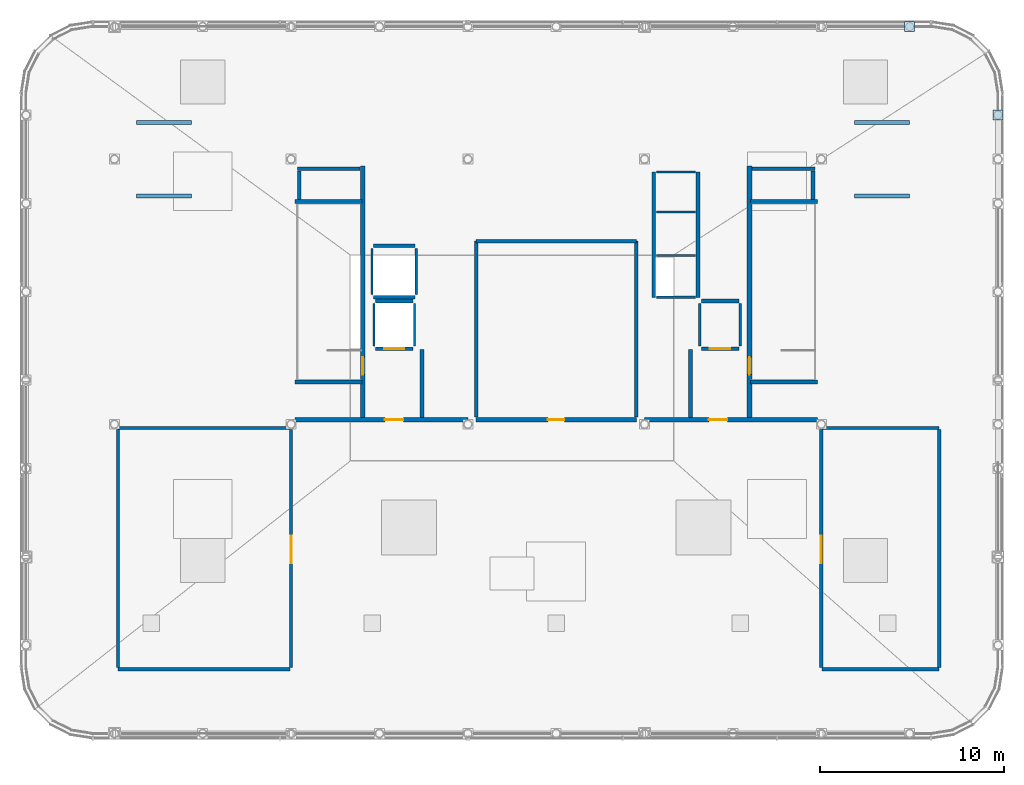
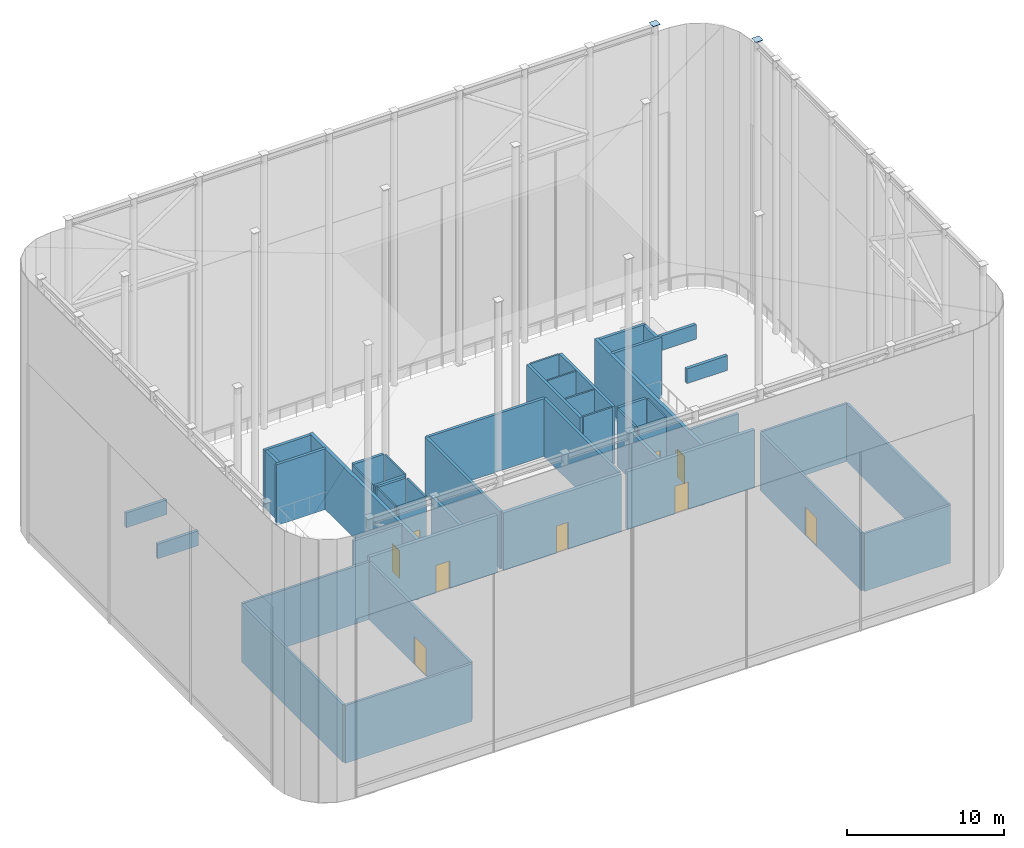
# One storey, part 40 of 42: 48 walls, 9 doors, 2 plates, 9 openings.
"""IFC4 building model written with IfcOpenShell, lengths in metres."""

from ifc_helpers import new_model, si_unit, direction, frame, frame_2d, origin, origin_2d, place, context, subcontext, project, spatial, rectangle, extrude, material, layer, layer_set, type_object, element, fill, save


model = new_model("IFC4")

# Units and contexts
model_context = context("Model", 3, precision=1e-05, world=origin(), true_north=direction((0.0, 1.0)))
body_context = subcontext(model_context, "Body", "Model", "MODEL_VIEW")
ifc_project = project(units=[si_unit("LENGTHUNIT", "METRE"), si_unit("AREAUNIT", "SQUARE_METRE"), si_unit("VOLUMEUNIT", "CUBIC_METRE"), si_unit("PLANEANGLEUNIT", "RADIAN"), si_unit("MASSUNIT", "GRAM", prefix="KILO")], contexts=[model_context])

# Site, building, storey
site_placement = place(None, origin())
site = spatial("IfcSite", under=ifc_project, at=site_placement, CompositionType="ELEMENT")
building_placement = place(site_placement, origin())
building = spatial("IfcBuilding", under=site, at=building_placement, Name="Kallvorn Hotel Tower", CompositionType="ELEMENT")
storey_placement = place(building_placement, frame((0.0, 0.0, 306.0)))
storey = spatial("IfcBuildingStorey", under=building, at=storey_placement, Name="ROOF", CompositionType="ELEMENT", Elevation=306.0)

# Plates
ifc_material_1 = material(Name="Structural steel S355JR", Category="steel")
ifc_layer_1 = layer(ifc_material_1, 0.030029296875)
ifc_layer_set_1 = layer_set([ifc_layer_1], Name="PLT_CAP_30")
plate_type = type_object("IfcPlateType", Name="PLT_CAP_30", PredefinedType="SHEET", material=ifc_layer_set_1)
for number, where, z_axis, x_axis, name in (
    (1, (19.199951171875, 14.39990234375, 21.35986328125), (0.0, 0.0, 1.0), (1.0, 0.0, 0.0), "CROWN FRAME Column Top Cap Plate 37"),
    (2, (24.0, 9.60009765625, 21.35986328125), (0.0, 0.0, 1.0), (1.0, 0.0, 0.0), "CROWN FRAME Column Top Cap Plate 46"),
):
    element("IfcPlate", number, at=place(storey_placement, frame(where, z_axis=z_axis, x_axis=x_axis)), inside=storey, type_object=plate_type, Name=name, PredefinedType="SHEET", context=body_context, shape_type="SweptSolid", body=[
        extrude(rectangle(XDim=0.5400390625, YDim=0.5400390625, at=origin_2d()), origin(), (0.0, 0.0, 1.0), 0.030029296875),
    ])

# Walls
ifc_material_2 = material(Name="Fire-rated double-layer acoustic gypsum drywall EI 60")
ifc_layer_2 = layer(ifc_material_2, 0.179931640625)
ifc_layer_set_2 = layer_set([ifc_layer_2], Name="WL_CORR_180")
wall_type_1 = type_object("IfcWallType", Name="WL_CORR_180", PredefinedType="PARTITIONING", material=ifc_layer_set_2)
wall_1_placement = place(storey_placement, frame((-23.800048828125, -20.5, 0.0), z_axis=(0.0, 0.0, 1.0), x_axis=(1.0, 0.0, 0.0)))
element("IfcWall", 3, at=wall_1_placement, inside=storey, type_object=wall_type_1, Name="ROOF Crown Pressurisation and Mechanical Plant Room Partition", PredefinedType="PARTITIONING", context=body_context, shape_type="SweptSolid", body=[
    extrude(rectangle(XDim=9.35009765625, YDim=0.179931640625, at=frame_2d((4.675048828125, 0.0))), origin(), (0.0, 0.0, 1.0), 4.5),
])
wall_2_placement = place(storey_placement, frame((14.449951171875, -20.5, 0.0), z_axis=(0.0, 0.0, 1.0), x_axis=(1.0, 0.0, 0.0)))
element("IfcWall", 4, at=wall_2_placement, inside=storey, type_object=wall_type_1, Name="ROOF Crown Electrical and Beacon Control Room Partition", PredefinedType="PARTITIONING", context=body_context, shape_type="SweptSolid", body=[
    extrude(rectangle(XDim=6.35009765625, YDim=0.179931640625, at=frame_2d((3.175048828125, 0.0))), origin(), (0.0, 0.0, 1.0), 4.5),
])
wall_3_placement = place(storey_placement, frame((-23.800048828125, -7.39990234375, 0.0), z_axis=(0.0, 0.0, 1.0), x_axis=(1.0, 0.0, 0.0)))
element("IfcWall", 5, at=wall_3_placement, inside=storey, type_object=wall_type_1, Name="ROOF Crown Pressurisation and Mechanical Plant Room Partition", PredefinedType="PARTITIONING", context=body_context, shape_type="SweptSolid", body=[
    extrude(rectangle(XDim=9.35009765625, YDim=0.179931640625, at=frame_2d((4.675048828125, 0.0))), origin(), (0.0, 0.0, 1.0), 4.5),
])
wall_4_placement = place(storey_placement, frame((14.449951171875, -7.39990234375, 0.0), z_axis=(0.0, 0.0, 1.0), x_axis=(1.0, 0.0, 0.0)))
element("IfcWall", 6, at=wall_4_placement, inside=storey, type_object=wall_type_1, Name="ROOF Crown Electrical and Beacon Control Room Partition", PredefinedType="PARTITIONING", context=body_context, shape_type="SweptSolid", body=[
    extrude(rectangle(XDim=6.35009765625, YDim=0.179931640625, at=frame_2d((3.175048828125, 0.0))), origin(), (0.0, 0.0, 1.0), 4.5),
])
wall_5_placement = place(storey_placement, frame((-23.800048828125, -20.4150390625, 0.0), z_axis=(0.0, 0.0, 1.0), x_axis=(0.0, 1.0, 0.0)))
element("IfcWall", 7, at=wall_5_placement, inside=storey, type_object=wall_type_1, Name="ROOF Crown Pressurisation and Mechanical Plant Room Partition", PredefinedType="PARTITIONING", context=body_context, shape_type="SweptSolid", body=[
    extrude(rectangle(XDim=12.929931640625, YDim=0.179931640625, at=frame_2d((6.46484375, 0.0))), origin(), (0.0, 0.0, 1.0), 4.5),
])

# Wall, opening, door
wall_6_placement = place(storey_placement, frame((-14.39990234375, -20.4150390625, 0.0), z_axis=(0.0, 0.0, 1.0), x_axis=(0.0, 1.0, 0.0)))
wall_6 = element("IfcWall", 8, at=wall_6_placement, inside=storey, type_object=wall_type_1, Name="ROOF Crown Pressurisation and Mechanical Plant Room Partition", PredefinedType="PARTITIONING", context=body_context, shape_type="SweptSolid", body=[
    extrude(rectangle(XDim=12.929931640625, YDim=0.179931640625, at=frame_2d((6.46484375, 0.0))), origin(), (0.0, 0.0, 1.0), 4.5),
])
opening_1_placement = place(wall_6_placement, frame((5.6650390625, 0.0, 0.0)))
opening_1 = element("IfcOpeningElement", 9, at=opening_1_placement, cuts=wall_6, Name="Opening PD1", PredefinedType="OPENING", context=body_context, shape_type="SweptSolid", body=[
    extrude(rectangle(XDim=1.5, YDim=2.199951171875, at=frame_2d((0.75, 1.10009765625))), frame((0.0, 0.104736328125, 0.0), z_axis=(0.0, -1.0, 0.0), x_axis=(1.0, 0.0, 0.0)), (0.0, 0.0, 1.0), 0.2099609375),
])
ifc_material_3 = material(Name="Galvanised painted steel fire-rated door assembly", Category="steel")
door_type_1 = type_object("IfcDoorType", Name="DR_PLANT_1500x2200", OperationType="DOUBLE_DOOR_SINGLE_SWING", PredefinedType="DOOR", material=ifc_material_3)
door_1_placement = place(opening_1_placement, origin())
door_1 = element("IfcDoor", 10, at=door_1_placement, inside=storey, type_object=door_type_1, Name="ROOF Crown Pressurisation and Mechanical Plant Room Door", OperationType="DOUBLE_DOOR_SINGLE_SWING", OverallHeight=2.199951171875, OverallWidth=1.5, PredefinedType="DOOR", context=body_context, shape_type="SweptSolid", body=[
    extrude(rectangle(XDim=1.5, YDim=2.199951171875, at=frame_2d((0.75, 1.10009765625))), frame((0.0, 0.02490234375, 0.0), z_axis=(0.0, -1.0, 0.0), x_axis=(1.0, 0.0, 0.0)), (0.0, 0.0, 1.0), 0.050048828125),
])
fill(opening_1, door_1)

wall_7_placement = place(storey_placement, frame((14.39990234375, -20.4150390625, 0.0), z_axis=(0.0, 0.0, 1.0), x_axis=(0.0, 1.0, 0.0)))
wall_7 = element("IfcWall", 11, at=wall_7_placement, inside=storey, type_object=wall_type_1, Name="ROOF Crown Electrical and Beacon Control Room Partition", PredefinedType="PARTITIONING", context=body_context, shape_type="SweptSolid", body=[
    extrude(rectangle(XDim=12.929931640625, YDim=0.179931640625, at=frame_2d((6.46484375, 0.0))), origin(), (0.0, 0.0, 1.0), 4.5),
])
opening_2_placement = place(wall_7_placement, frame((5.6650390625, 0.0, 0.0)))
opening_2 = element("IfcOpeningElement", 12, at=opening_2_placement, cuts=wall_7, Name="Opening PD1", PredefinedType="OPENING", context=body_context, shape_type="SweptSolid", body=[
    extrude(rectangle(XDim=1.5, YDim=2.199951171875, at=frame_2d((0.75, 1.10009765625))), frame((0.0, 0.104736328125, 0.0), z_axis=(0.0, -1.0, 0.0), x_axis=(1.0, 0.0, 0.0)), (0.0, 0.0, 1.0), 0.2099609375),
])
door_2_placement = place(opening_2_placement, origin())
door_2 = element("IfcDoor", 13, at=door_2_placement, inside=storey, type_object=door_type_1, Name="ROOF Crown Electrical and Beacon Control Room Door", OperationType="DOUBLE_DOOR_SINGLE_SWING", OverallHeight=2.199951171875, OverallWidth=1.5, PredefinedType="DOOR", context=body_context, shape_type="SweptSolid", body=[
    extrude(rectangle(XDim=1.5, YDim=2.199951171875, at=frame_2d((0.75, 1.10009765625))), frame((0.0, 0.02490234375, 0.0), z_axis=(0.0, -1.0, 0.0), x_axis=(1.0, 0.0, 0.0)), (0.0, 0.0, 1.0), 0.050048828125),
])
fill(opening_2, door_2)

# Walls
wall_8_placement = place(storey_placement, frame((20.800048828125, -20.4150390625, 0.0), z_axis=(0.0, 0.0, 1.0), x_axis=(0.0, 1.0, 0.0)))
element("IfcWall", 14, at=wall_8_placement, inside=storey, type_object=wall_type_1, Name="ROOF Crown Electrical and Beacon Control Room Partition", PredefinedType="PARTITIONING", context=body_context, shape_type="SweptSolid", body=[
    extrude(rectangle(XDim=12.929931640625, YDim=0.179931640625, at=frame_2d((6.46484375, 0.0))), origin(), (0.0, 0.0, 1.0), 4.5),
])
ifc_material_4 = material(Name="Concrete C40/50", Category="concrete")
ifc_layer_3 = layer(ifc_material_4, 0.219970703125)
ifc_layer_set_3 = layer_set([ifc_layer_3], Name="WL_FFL_220")
wall_type_2 = type_object("IfcWallType", Name="WL_FFL_220", PredefinedType="SOLIDWALL", material=ifc_layer_set_3)
for number, where, z_axis, x_axis, name in (
    (15, (-7.300048828125, -6.820068359375, 0.0), (0.0, 0.0, 1.0), (0.0, 1.0, 0.0), "ROOF Firefighting Lobby West Divider Wall"),
    (16, (7.300048828125, -6.820068359375, 0.0), (0.0, 0.0, 1.0), (0.0, 1.0, 0.0), "ROOF Firefighting Lobby East Divider Wall"),
):
    element("IfcWall", number, at=place(storey_placement, frame(where, z_axis=z_axis, x_axis=x_axis)), inside=storey, type_object=wall_type_2, Name=name, PredefinedType="SOLIDWALL", context=body_context, shape_type="SweptSolid", body=[
        extrude(rectangle(XDim=3.670166015625, YDim=0.219970703125, at=frame_2d((1.8349609375, 0.0))), origin(), (0.0, 0.0, 1.0), 4.5),
    ])
ifc_material_5 = material(Name="Concrete C40/50", Category="concrete")
ifc_layer_4 = layer(ifc_material_5, 0.199951171875)
ifc_layer_set_4 = layer_set([ifc_layer_4], Name="WL_HOIST_200")
wall_type_3 = type_object("IfcWallType", Name="WL_HOIST_200", PredefinedType="SOLIDWALL", material=ifc_layer_set_4)
for number, where, z_axis, x_axis, name in (
    (17, (-4.35009765625, -6.800048828125, 0.0), (0.0, 0.0, 1.0), (0.0, 1.0, 0.0), "ROOF Crown Lift Overrun West Wall"),
    (18, (4.35009765625, -6.800048828125, 0.0), (0.0, 0.0, 1.0), (0.0, 1.0, 0.0), "ROOF Crown Lift Overrun East Wall"),
):
    element("IfcWall", number, at=place(storey_placement, frame(where, z_axis=z_axis, x_axis=x_axis)), inside=storey, type_object=wall_type_3, Name=name, PredefinedType="SOLIDWALL", context=body_context, shape_type="SweptSolid", body=[
        extrude(rectangle(XDim=9.550048828125, YDim=0.199951171875, at=frame_2d((4.77490234375, 0.0))), origin(), (0.0, 0.0, 1.0), 4.5),
    ])
wall_9_placement = place(storey_placement, frame((-4.35009765625, 2.75, 0.0), z_axis=(0.0, 0.0, 1.0), x_axis=(1.0, 0.0, 0.0)))
element("IfcWall", 19, at=wall_9_placement, inside=storey, type_object=wall_type_3, Name="ROOF Crown Lift Overrun North Wall", PredefinedType="SOLIDWALL", context=body_context, shape_type="SweptSolid", body=[
    extrude(rectangle(XDim=8.7001953125, YDim=0.199951171875, at=frame_2d((4.35009765625, 0.0))), origin(), (0.0, 0.0, 1.0), 4.5),
])
wall_10_placement = place(storey_placement, frame((-14.050048828125, 6.679931640625, 0.0), z_axis=(0.0, 0.0, 1.0), x_axis=(1.0, 0.0, 0.0)))
element("IfcWall", 20, at=wall_10_placement, inside=storey, type_object=wall_type_3, Name="ROOF West MEP Riser Shaft North Wall", PredefinedType="SOLIDWALL", context=body_context, shape_type="SweptSolid", body=[
    extrude(rectangle(XDim=3.400146484375, YDim=0.199951171875, at=frame_2d((1.7001953125, 0.0))), origin(), (0.0, 0.0, 1.0), 4.5),
])
wall_11_placement = place(storey_placement, frame((-13.949951171875, 5.02001953125, 0.0), z_axis=(0.0, 0.0, 1.0), x_axis=(0.0, 1.0, 0.0)))
element("IfcWall", 21, at=wall_11_placement, inside=storey, type_object=wall_type_3, Name="ROOF West MEP Riser Shaft West Wall", PredefinedType="SOLIDWALL", context=body_context, shape_type="SweptSolid", body=[
    extrude(rectangle(XDim=1.5400390625, YDim=0.199951171875, at=frame_2d((0.77001953125, 0.0))), origin(), (0.0, 0.0, 1.0), 4.5),
])
wall_12_placement = place(storey_placement, frame((10.64990234375, 6.679931640625, 0.0), z_axis=(0.0, 0.0, 1.0), x_axis=(1.0, 0.0, 0.0)))
element("IfcWall", 22, at=wall_12_placement, inside=storey, type_object=wall_type_3, Name="ROOF East MEP Riser Shaft North Wall", PredefinedType="SOLIDWALL", context=body_context, shape_type="SweptSolid", body=[
    extrude(rectangle(XDim=3.400146484375, YDim=0.199951171875, at=frame_2d((1.7001953125, 0.0))), origin(), (0.0, 0.0, 1.0), 4.5),
])
wall_13_placement = place(storey_placement, frame((13.949951171875, 5.02001953125, 0.0), z_axis=(0.0, 0.0, 1.0), x_axis=(0.0, 1.0, 0.0)))
element("IfcWall", 23, at=wall_13_placement, inside=storey, type_object=wall_type_3, Name="ROOF East MEP Riser Shaft East Wall", PredefinedType="SOLIDWALL", context=body_context, shape_type="SweptSolid", body=[
    extrude(rectangle(XDim=1.5400390625, YDim=0.199951171875, at=frame_2d((0.77001953125, 0.0))), origin(), (0.0, 0.0, 1.0), 4.5),
])
for number, where, z_axis, x_axis, name in (
    (24, (-14.199951171875, -4.89990234375, -0.239990234375), (0.0, 0.0, 1.0), (1.0, 0.0, 0.0), "ROOF Stair ST1 South Wall"),
    (25, (-14.199951171875, 4.89990234375, -0.239990234375), (0.0, 0.0, 1.0), (1.0, 0.0, 0.0), "ROOF Stair ST1 North Wall"),
    (26, (10.550048828125, -4.89990234375, -0.239990234375), (0.0, 0.0, 1.0), (1.0, 0.0, 0.0), "ROOF Stair ST2 South Wall"),
    (27, (10.550048828125, 4.89990234375, -0.239990234375), (0.0, 0.0, 1.0), (1.0, 0.0, 0.0), "ROOF Stair ST2 North Wall"),
):
    element("IfcWall", number, at=place(storey_placement, frame(where, z_axis=z_axis, x_axis=x_axis)), inside=storey, type_object=wall_type_3, Name=name, PredefinedType="SOLIDWALL", context=body_context, shape_type="SweptSolid", body=[
        extrude(rectangle(XDim=3.64990234375, YDim=0.199951171875, at=frame_2d((1.824951171875, 0.0))), origin(), (0.0, 0.0, 1.0), 4.739990234375),
    ])
for number, where, z_axis, x_axis, name in (
    (28, (7.699951171875, -0.300048828125, 0.0), (0.0, 0.0, 1.0), (0.0, 1.0, 0.0), "ROOF Lift Bank OBS Landing Wall"),
    (29, (5.300048828125, -0.300048828125, 0.0), (0.0, 0.0, 1.0), (0.0, 1.0, 0.0), "ROOF Lift Bank OBS Rear Shaft Wall"),
):
    element("IfcWall", number, at=place(storey_placement, frame(where, z_axis=z_axis, x_axis=x_axis)), inside=storey, type_object=wall_type_3, Name=name, PredefinedType="SOLIDWALL", context=body_context, shape_type="SweptSolid", body=[
        extrude(rectangle(XDim=6.800048828125, YDim=0.199951171875, at=frame_2d((3.39990234375, 0.0))), origin(), (0.0, 0.0, 1.0), 4.5),
    ])

# Wall, opening, door
wall_14_placement = place(storey_placement, frame((-9.820068359375, -3.10009765625, 0.0), z_axis=(0.0, 0.0, 1.0), x_axis=(1.0, 0.0, 0.0)))
wall_14 = element("IfcWall", 30, at=wall_14_placement, inside=storey, type_object=wall_type_3, Name="ROOF FL-1 Landing Wall", PredefinedType="SOLIDWALL", context=body_context, shape_type="SweptSolid", body=[
    extrude(rectangle(XDim=2.0400390625, YDim=0.199951171875, at=frame_2d((1.02001953125, 0.0))), origin(), (0.0, 0.0, 1.0), 4.5),
])
opening_3_placement = place(wall_14_placement, frame((0.469970703125, 0.0, 0.0)))
opening_3 = element("IfcOpeningElement", 31, at=opening_3_placement, cuts=wall_14, Name="Opening LD-FL-1", PredefinedType="OPENING", context=body_context, shape_type="SweptSolid", body=[
    extrude(rectangle(XDim=1.10009765625, YDim=2.199951171875, at=frame_2d((0.550048828125, 1.10009765625))), frame((0.0, 0.114990234375, 0.0), z_axis=(0.0, -1.0, 0.0), x_axis=(1.0, 0.0, 0.0)), (0.0, 0.0, 1.0), 0.22998046875),
])
ifc_material_6 = material(Name="Brushed stainless-steel automatic sliding lift landing door", Category="steel")
door_type_2 = type_object("IfcDoorType", Name="LD_PASS_1100x2200", OperationType="SLIDING_TO_LEFT", PredefinedType="DOOR", material=ifc_material_6)
door_3_placement = place(opening_3_placement, origin())
door_3 = element("IfcDoor", 32, at=door_3_placement, inside=storey, type_object=door_type_2, Name="ROOF Lift Landing Sliding Door LD-FL-1", OperationType="SLIDING_TO_LEFT", OverallHeight=2.199951171875, OverallWidth=1.10009765625, PredefinedType="DOOR", context=body_context, shape_type="SweptSolid", body=[
    extrude(rectangle(XDim=1.10009765625, YDim=2.199951171875, at=frame_2d((0.550048828125, 1.10009765625))), frame((0.0, 0.02490234375, 0.0), z_axis=(0.0, -1.0, 0.0), x_axis=(1.0, 0.0, 0.0)), (0.0, 0.0, 1.0), 0.050048828125),
])
fill(opening_3, door_3)

# Wall
wall_15_placement = place(storey_placement, frame((-9.820068359375, -0.5, 0.0), z_axis=(0.0, 0.0, 1.0), x_axis=(1.0, 0.0, 0.0)))
element("IfcWall", 33, at=wall_15_placement, inside=storey, type_object=wall_type_3, Name="ROOF FL-1 Rear Shaft Wall", PredefinedType="SOLIDWALL", context=body_context, shape_type="SweptSolid", body=[
    extrude(rectangle(XDim=2.0400390625, YDim=0.199951171875, at=frame_2d((1.02001953125, 0.0))), origin(), (0.0, 0.0, 1.0), 4.5),
])

# Wall, opening, door
wall_16_placement = place(storey_placement, frame((7.8798828125, -3.10009765625, 0.0), z_axis=(0.0, 0.0, 1.0), x_axis=(1.0, 0.0, 0.0)))
wall_16 = element("IfcWall", 34, at=wall_16_placement, inside=storey, type_object=wall_type_3, Name="ROOF FL-2 Landing Wall", PredefinedType="SOLIDWALL", context=body_context, shape_type="SweptSolid", body=[
    extrude(rectangle(XDim=2.0400390625, YDim=0.199951171875, at=frame_2d((1.02001953125, 0.0))), origin(), (0.0, 0.0, 1.0), 4.5),
])
opening_4_placement = place(wall_16_placement, frame((0.469970703125, 0.0, 0.0)))
opening_4 = element("IfcOpeningElement", 35, at=opening_4_placement, cuts=wall_16, Name="Opening LD-FL-2", PredefinedType="OPENING", context=body_context, shape_type="SweptSolid", body=[
    extrude(rectangle(XDim=1.10009765625, YDim=2.199951171875, at=frame_2d((0.550048828125, 1.10009765625))), frame((0.0, 0.114990234375, 0.0), z_axis=(0.0, -1.0, 0.0), x_axis=(1.0, 0.0, 0.0)), (0.0, 0.0, 1.0), 0.22998046875),
])
door_4_placement = place(opening_4_placement, origin())
door_4 = element("IfcDoor", 36, at=door_4_placement, inside=storey, type_object=door_type_2, Name="ROOF Lift Landing Sliding Door LD-FL-2", OperationType="SLIDING_TO_LEFT", OverallHeight=2.199951171875, OverallWidth=1.10009765625, PredefinedType="DOOR", context=body_context, shape_type="SweptSolid", body=[
    extrude(rectangle(XDim=1.10009765625, YDim=2.199951171875, at=frame_2d((0.550048828125, 1.10009765625))), frame((0.0, 0.02490234375, 0.0), z_axis=(0.0, -1.0, 0.0), x_axis=(1.0, 0.0, 0.0)), (0.0, 0.0, 1.0), 0.050048828125),
])
fill(opening_4, door_4)

# Walls
wall_17_placement = place(storey_placement, frame((7.8798828125, -0.5, 0.0), z_axis=(0.0, 0.0, 1.0), x_axis=(1.0, 0.0, 0.0)))
element("IfcWall", 37, at=wall_17_placement, inside=storey, type_object=wall_type_3, Name="ROOF FL-2 Rear Shaft Wall", PredefinedType="SOLIDWALL", context=body_context, shape_type="SweptSolid", body=[
    extrude(rectangle(XDim=2.0400390625, YDim=0.199951171875, at=frame_2d((1.02001953125, 0.0))), origin(), (0.0, 0.0, 1.0), 4.5),
])
for number, where, z_axis, x_axis, name in (
    (38, (-9.919921875, 2.5, 0.0), (0.0, 0.0, 1.0), (1.0, 0.0, 0.0), "ROOF SV-01 Landing Wall"),
    (39, (-9.919921875, -0.300048828125, 0.0), (0.0, 0.0, 1.0), (1.0, 0.0, 0.0), "ROOF SV-01 Rear Shaft Wall"),
):
    element("IfcWall", number, at=place(storey_placement, frame(where, z_axis=z_axis, x_axis=x_axis)), inside=storey, type_object=wall_type_3, Name=name, PredefinedType="SOLIDWALL", context=body_context, shape_type="SweptSolid", body=[
        extrude(rectangle(XDim=2.239990234375, YDim=0.199951171875, at=frame_2d((1.1201171875, 0.0))), origin(), (0.0, 0.0, 1.0), 4.5),
    ])
ifc_material_7 = material(Name="Fire-rated double-layer acoustic gypsum drywall EI 60")
ifc_layer_5 = layer(ifc_material_7, 0.1201171875)
ifc_layer_set_5 = layer_set([ifc_layer_5], Name="WL_INT_120")
wall_type_4 = type_object("IfcWallType", Name="WL_INT_120", PredefinedType="PARTITIONING", material=ifc_layer_set_5)
for number, where, z_axis, x_axis, name in (
    (40, (5.43994140625, -0.300048828125, 0.0), (0.0, 0.0, 1.0), (1.0, 0.0, 0.0), "ROOF Lift Bank OBS South Closure Wall"),
    (41, (5.43994140625, 1.97509765625, 0.0), (0.0, 0.0, 1.0), (1.0, 0.0, 0.0), "ROOF OB-01 Hoistway Divider"),
    (42, (5.43994140625, 4.324951171875, 0.0), (0.0, 0.0, 1.0), (1.0, 0.0, 0.0), "ROOF OB-02 Hoistway Divider"),
    (43, (5.43994140625, 6.5, 0.0), (0.0, 0.0, 1.0), (1.0, 0.0, 0.0), "ROOF OB-03 Hoistway Divider"),
):
    element("IfcWall", number, at=place(storey_placement, frame(where, z_axis=z_axis, x_axis=x_axis)), inside=storey, type_object=wall_type_4, Name=name, PredefinedType="PARTITIONING", context=body_context, shape_type="SweptSolid", body=[
        extrude(rectangle(XDim=2.1201171875, YDim=0.1201171875, at=frame_2d((1.06005859375, 0.0))), origin(), (0.0, 0.0, 1.0), 4.5),
    ])
for number, where, z_axis, x_axis, name in (
    (44, (-9.89990234375, -2.9599609375, 0.0), (0.0, 0.0, 1.0), (0.0, 1.0, 0.0), "ROOF FL-1 West Shaft Wall"),
    (45, (-7.699951171875, -2.9599609375, 0.0), (0.0, 0.0, 1.0), (0.0, 1.0, 0.0), "ROOF FL-1 East Shaft Wall"),
    (46, (7.800048828125, -2.9599609375, 0.0), (0.0, 0.0, 1.0), (0.0, 1.0, 0.0), "ROOF FL-2 West Shaft Wall"),
    (47, (10.0, -2.9599609375, 0.0), (0.0, 0.0, 1.0), (0.0, 1.0, 0.0), "ROOF FL-2 East Shaft Wall"),
):
    element("IfcWall", number, at=place(storey_placement, frame(where, z_axis=z_axis, x_axis=x_axis)), inside=storey, type_object=wall_type_4, Name=name, PredefinedType="PARTITIONING", context=body_context, shape_type="SweptSolid", body=[
        extrude(rectangle(XDim=2.320068359375, YDim=0.1201171875, at=frame_2d((1.16015625, 0.0))), origin(), (0.0, 0.0, 1.0), 4.5),
    ])
for number, where, z_axis, x_axis, name in (
    (48, (-10.0, -0.159912109375, 0.0), (0.0, 0.0, 1.0), (0.0, 1.0, 0.0), "ROOF SV-01 West Shaft Wall"),
    (49, (-7.60009765625, -0.159912109375, 0.0), (0.0, 0.0, 1.0), (0.0, 1.0, 0.0), "ROOF SV-01 East Shaft Wall"),
):
    element("IfcWall", number, at=place(storey_placement, frame(where, z_axis=z_axis, x_axis=x_axis)), inside=storey, type_object=wall_type_4, Name=name, PredefinedType="PARTITIONING", context=body_context, shape_type="SweptSolid", body=[
        extrude(rectangle(XDim=2.52001953125, YDim=0.1201171875, at=frame_2d((1.260009765625, 0.0))), origin(), (0.0, 0.0, 1.0), 4.5),
    ])
ifc_material_8 = material(Name="Concrete C40/50", Category="concrete")
ifc_layer_6 = layer(ifc_material_8, 0.219970703125)
ifc_layer_set_6 = layer_set([ifc_layer_6], Name="WL_PARAPET_220")
wall_type_5 = type_object("IfcWallType", Name="WL_PARAPET_220", PredefinedType="PARAPET", material=ifc_layer_set_6)
for number, where, z_axis, x_axis, name in (
    (50, (-22.800048828125, 5.199951171875, 0.0), (0.0, 0.0, 1.0), (1.0, 0.0, 0.0), "Main Roof Mechanical Upstand Parapet 1"),
    (51, (16.199951171875, 5.199951171875, 0.0), (0.0, 0.0, 1.0), (1.0, 0.0, 0.0), "Main Roof Mechanical Upstand Parapet 2"),
    (52, (-22.800048828125, 9.199951171875, 0.0), (0.0, 0.0, 1.0), (1.0, 0.0, 0.0), "Main Roof Mechanical Upstand Parapet 3"),
    (53, (16.199951171875, 9.199951171875, 0.0), (0.0, 0.0, 1.0), (1.0, 0.0, 0.0), "Main Roof Mechanical Upstand Parapet 4"),
):
    element("IfcWall", number, at=place(storey_placement, frame(where, z_axis=z_axis, x_axis=x_axis)), inside=storey, type_object=wall_type_5, Name=name, PredefinedType="PARAPET", context=body_context, shape_type="SweptSolid", body=[
        extrude(rectangle(XDim=3.0, YDim=0.219970703125, at=frame_2d((1.5, 0.0))), origin(), (0.0, 0.0, 1.0), 1.14990234375),
    ])

# Wall, opening, door
ifc_material_9 = material(Name="Concrete C40/50", Category="concrete")
ifc_layer_7 = layer(ifc_material_9, 0.25)
ifc_layer_set_7 = layer_set([ifc_layer_7], Name="WL_SHAFT_250")
wall_type_6 = type_object("IfcWallType", Name="WL_SHAFT_250", PredefinedType="SOLIDWALL", material=ifc_layer_set_7)
wall_18_placement = place(storey_placement, frame((-14.199951171875, -6.949951171875, 0.0), z_axis=(0.0, 0.0, 1.0), x_axis=(1.0, 0.0, 0.0)))
wall_18 = element("IfcWall", 54, at=wall_18_placement, inside=storey, type_object=wall_type_6, Name="ROOF Core South-West Wall", PredefinedType="SOLIDWALL", context=body_context, shape_type="SweptSolid", body=[
    extrude(rectangle(XDim=9.39990234375, YDim=0.25, at=frame_2d((4.699951171875, 0.0))), origin(), (0.0, 0.0, 1.0), 4.5),
])
opening_5_placement = place(wall_18_placement, frame((4.89990234375, 0.0, 0.0)))
opening_5 = element("IfcOpeningElement", 55, at=opening_5_placement, cuts=wall_18, Name="Opening FD1", PredefinedType="OPENING", context=body_context, shape_type="SweptSolid", body=[
    extrude(rectangle(XDim=1.0, YDim=2.14990234375, at=frame_2d((0.5, 1.074951171875))), frame((0.0, 0.139892578125, 0.0), z_axis=(0.0, -1.0, 0.0), x_axis=(1.0, 0.0, 0.0)), (0.0, 0.0, 1.0), 0.280029296875),
])
ifc_material_10 = material(Name="Galvanised painted steel fire-rated door assembly", Category="steel")
door_type_3 = type_object("IfcDoorType", Name="DR_FFL_1000x2150", OperationType="NOTDEFINED", PredefinedType="DOOR", material=ifc_material_10)
door_5_placement = place(opening_5_placement, origin())
door_5 = element("IfcDoor", 56, at=door_5_placement, inside=storey, type_object=door_type_3, Name="ROOF Firefighting Lobby West Door", OperationType="SINGLE_SWING_LEFT", OverallHeight=2.14990234375, OverallWidth=1.0, PredefinedType="DOOR", context=body_context, shape_type="SweptSolid", body=[
    extrude(rectangle(XDim=1.0, YDim=2.14990234375, at=frame_2d((0.5, 1.074951171875))), frame((0.0, 0.02490234375, 0.0), z_axis=(0.0, -1.0, 0.0), x_axis=(1.0, 0.0, 0.0)), (0.0, 0.0, 1.0), 0.050048828125),
])
fill(opening_5, door_5)

wall_19_placement = place(storey_placement, frame((-4.35009765625, -6.949951171875, 0.0), z_axis=(0.0, 0.0, 1.0), x_axis=(1.0, 0.0, 0.0)))
wall_19 = element("IfcWall", 57, at=wall_19_placement, inside=storey, type_object=wall_type_6, Name="ROOF Crown Lift Overrun South Wall", PredefinedType="SOLIDWALL", context=body_context, shape_type="SweptSolid", body=[
    extrude(rectangle(XDim=8.7001953125, YDim=0.25, at=frame_2d((4.35009765625, 0.0))), origin(), (0.0, 0.0, 1.0), 4.5),
])
opening_6_placement = place(wall_19_placement, frame((3.89990234375, 0.0, 0.0)))
opening_6 = element("IfcOpeningElement", 58, at=opening_6_placement, cuts=wall_19, Name="Opening SVD1", PredefinedType="OPENING", context=body_context, shape_type="SweptSolid", body=[
    extrude(rectangle(XDim=0.89990234375, YDim=2.10009765625, at=frame_2d((0.449951171875, 1.050048828125))), frame((0.0, 0.139892578125, 0.0), z_axis=(0.0, -1.0, 0.0), x_axis=(1.0, 0.0, 0.0)), (0.0, 0.0, 1.0), 0.280029296875),
])
ifc_material_11 = material(Name="Galvanised painted steel fire-rated door assembly", Category="steel")
door_type_4 = type_object("IfcDoorType", Name="DR_SERV_900x2100", OperationType="NOTDEFINED", PredefinedType="DOOR", material=ifc_material_11)
door_6_placement = place(opening_6_placement, origin())
door_6 = element("IfcDoor", 59, at=door_6_placement, inside=storey, type_object=door_type_4, Name="ROOF Crown Machine Room Maintenance Door", OperationType="SINGLE_SWING_RIGHT", OverallHeight=2.10009765625, OverallWidth=0.89990234375, PredefinedType="DOOR", context=body_context, shape_type="SweptSolid", body=[
    extrude(rectangle(XDim=0.89990234375, YDim=2.10009765625, at=frame_2d((0.449951171875, 1.050048828125))), frame((0.0, 0.02490234375, 0.0), z_axis=(0.0, -1.0, 0.0), x_axis=(1.0, 0.0, 0.0)), (0.0, 0.0, 1.0), 0.050048828125),
])
fill(opening_6, door_6)

wall_20_placement = place(storey_placement, frame((4.800048828125, -6.949951171875, 0.0), z_axis=(0.0, 0.0, 1.0), x_axis=(1.0, 0.0, 0.0)))
wall_20 = element("IfcWall", 60, at=wall_20_placement, inside=storey, type_object=wall_type_6, Name="ROOF Core South-East Wall", PredefinedType="SOLIDWALL", context=body_context, shape_type="SweptSolid", body=[
    extrude(rectangle(XDim=9.39990234375, YDim=0.25, at=frame_2d((4.699951171875, 0.0))), origin(), (0.0, 0.0, 1.0), 4.5),
])
opening_7_placement = place(wall_20_placement, frame((3.5, 0.0, 0.0)))
opening_7 = element("IfcOpeningElement", 61, at=opening_7_placement, cuts=wall_20, Name="Opening FD1", PredefinedType="OPENING", context=body_context, shape_type="SweptSolid", body=[
    extrude(rectangle(XDim=1.0, YDim=2.14990234375, at=frame_2d((0.5, 1.074951171875))), frame((0.0, 0.139892578125, 0.0), z_axis=(0.0, -1.0, 0.0), x_axis=(1.0, 0.0, 0.0)), (0.0, 0.0, 1.0), 0.280029296875),
])
door_7_placement = place(opening_7_placement, origin())
door_7 = element("IfcDoor", 62, at=door_7_placement, inside=storey, type_object=door_type_3, Name="ROOF Firefighting Lobby East Door", OperationType="SINGLE_SWING_LEFT", OverallHeight=2.14990234375, OverallWidth=1.0, PredefinedType="DOOR", context=body_context, shape_type="SweptSolid", body=[
    extrude(rectangle(XDim=1.0, YDim=2.14990234375, at=frame_2d((0.5, 1.074951171875))), frame((0.0, 0.02490234375, 0.0), z_axis=(0.0, -1.0, 0.0), x_axis=(1.0, 0.0, 0.0)), (0.0, 0.0, 1.0), 0.050048828125),
])
fill(opening_7, door_7)

wall_21_placement = place(storey_placement, frame((-10.5, -6.820068359375, -0.239990234375), z_axis=(0.0, 0.0, 1.0), x_axis=(0.0, 1.0, 0.0)))
wall_21 = element("IfcWall", 63, at=wall_21_placement, inside=storey, type_object=wall_type_6, Name="ROOF Stair ST1 Shaft Wall", PredefinedType="SOLIDWALL", context=body_context, shape_type="SweptSolid", body=[
    extrude(rectangle(XDim=13.64013671875, YDim=0.25, at=frame_2d((6.820068359375, 0.0))), origin(), (0.0, 0.0, 1.0), 4.739990234375),
])
opening_8_placement = place(wall_21_placement, frame((2.320068359375, 0.0, 0.239990234375)))
opening_8 = element("IfcOpeningElement", 64, at=opening_8_placement, cuts=wall_21, Name="Opening SD1", PredefinedType="OPENING", context=body_context, shape_type="SweptSolid", body=[
    extrude(rectangle(XDim=0.949951171875, YDim=2.14990234375, at=frame_2d((0.47509765625, 1.074951171875))), frame((0.0, 0.139892578125, 0.0), z_axis=(0.0, -1.0, 0.0), x_axis=(1.0, 0.0, 0.0)), (0.0, 0.0, 1.0), 0.280029296875),
])
ifc_material_12 = material(Name="Galvanised painted steel fire-rated door assembly", Category="steel")
door_type_5 = type_object("IfcDoorType", Name="DR_STAIR_950x2150", OperationType="NOTDEFINED", PredefinedType="DOOR", material=ifc_material_12)
door_8_placement = place(opening_8_placement, origin())
door_8 = element("IfcDoor", 65, at=door_8_placement, inside=storey, type_object=door_type_5, Name="ROOF Exit Stair ST1 Fire Door", OperationType="SINGLE_SWING_LEFT", OverallHeight=2.14990234375, OverallWidth=0.949951171875, PredefinedType="DOOR", context=body_context, shape_type="SweptSolid", body=[
    extrude(rectangle(XDim=0.949951171875, YDim=2.14990234375, at=frame_2d((0.47509765625, 1.074951171875))), frame((0.0, 0.02490234375, 0.0), z_axis=(0.0, -1.0, 0.0), x_axis=(1.0, 0.0, 0.0)), (0.0, 0.0, 1.0), 0.050048828125),
])
fill(opening_8, door_8)

wall_22_placement = place(storey_placement, frame((10.5, -6.820068359375, -0.239990234375), z_axis=(0.0, 0.0, 1.0), x_axis=(0.0, 1.0, 0.0)))
wall_22 = element("IfcWall", 66, at=wall_22_placement, inside=storey, type_object=wall_type_6, Name="ROOF Stair ST2 Shaft Wall", PredefinedType="SOLIDWALL", context=body_context, shape_type="SweptSolid", body=[
    extrude(rectangle(XDim=13.64013671875, YDim=0.25, at=frame_2d((6.820068359375, 0.0))), origin(), (0.0, 0.0, 1.0), 4.739990234375),
])
opening_9_placement = place(wall_22_placement, frame((2.320068359375, 0.0, 0.239990234375)))
opening_9 = element("IfcOpeningElement", 67, at=opening_9_placement, cuts=wall_22, Name="Opening SD1", PredefinedType="OPENING", context=body_context, shape_type="SweptSolid", body=[
    extrude(rectangle(XDim=0.949951171875, YDim=2.14990234375, at=frame_2d((0.47509765625, 1.074951171875))), frame((0.0, 0.139892578125, 0.0), z_axis=(0.0, -1.0, 0.0), x_axis=(1.0, 0.0, 0.0)), (0.0, 0.0, 1.0), 0.280029296875),
])
door_9_placement = place(opening_9_placement, origin())
door_9 = element("IfcDoor", 68, at=door_9_placement, inside=storey, type_object=door_type_5, Name="ROOF Exit Stair ST2 Fire Door", OperationType="SINGLE_SWING_LEFT", OverallHeight=2.14990234375, OverallWidth=0.949951171875, PredefinedType="DOOR", context=body_context, shape_type="SweptSolid", body=[
    extrude(rectangle(XDim=0.949951171875, YDim=2.14990234375, at=frame_2d((0.47509765625, 1.074951171875))), frame((0.0, 0.02490234375, 0.0), z_axis=(0.0, -1.0, 0.0), x_axis=(1.0, 0.0, 0.0)), (0.0, 0.0, 1.0), 0.050048828125),
])
fill(opening_9, door_9)

save(model, "model.ifc")
